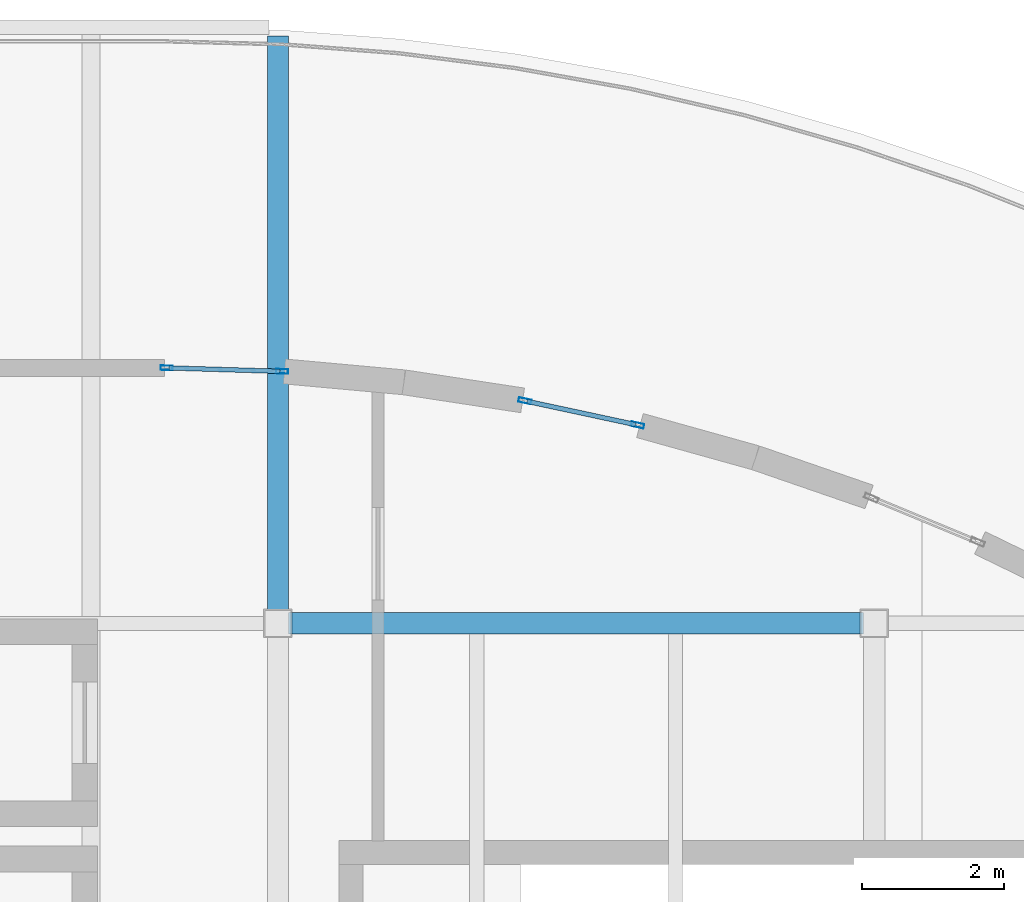
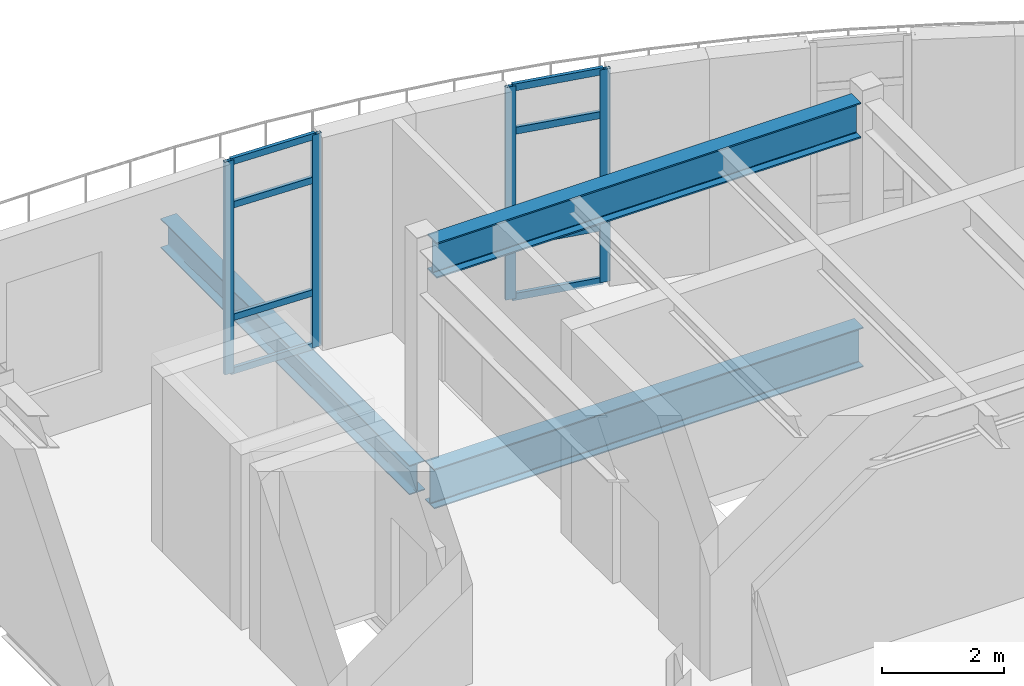
# One storey, part 14 of 26: 12 members, 3 beams, 2 elements without a shape of their own.
"""IFC4 building model written with IfcOpenShell, lengths in metres."""

from ifc_helpers import new_model, si_unit, direction, frame, origin, origin_2d, place, context, subcontext, project, spatial, hollow_rectangle, i_section, extrude, material, layer, layer_set, material_profile, profile_set, type_object, element, aggregate, save


model = new_model("IFC4")

# Units and contexts
model_context = context("Model", 3, precision=1e-05, world=origin(), true_north=direction((0.0, 1.0)))
body_context = subcontext(model_context, "Body", "Model", "MODEL_VIEW")
ifc_project = project(units=[si_unit("LENGTHUNIT", "METRE"), si_unit("AREAUNIT", "SQUARE_METRE"), si_unit("VOLUMEUNIT", "CUBIC_METRE"), si_unit("PLANEANGLEUNIT", "RADIAN"), si_unit("MASSUNIT", "GRAM", prefix="KILO"), si_unit("THERMODYNAMICTEMPERATUREUNIT", "KELVIN")], contexts=[model_context])

# Site, building, storey
site_placement = place(None, origin())
site = spatial("IfcSite", under=ifc_project, at=site_placement, CompositionType="ELEMENT")
building_placement = place(site_placement, origin())
building = spatial("IfcBuilding", under=site, at=building_placement, Name="Lustrewick Department Store", CompositionType="ELEMENT")
storey_placement = place(building_placement, frame((0.0, 0.0, 36.300048828125)))
storey = spatial("IfcBuildingStorey", under=building, at=storey_placement, Name="L08", CompositionType="ELEMENT", Elevation=36.300048828125)

# Curtain wall, members
ifc_material_1 = material(Name="Thermally broken aluminium 6063-T5", Category="aluminium")
ifc_layer_1 = layer(ifc_material_1, 0.179931640625, Name="Thermally broken aluminium 6063-T5")
ifc_layer_set_1 = layer_set([ifc_layer_1], Name="Thermally broken aluminium 6063-T5")
curtain_wall_type_1 = type_object("IfcCurtainWallType", Name="CW11", PredefinedType="NOTDEFINED", material=ifc_layer_set_1)
curtain_wall_1_placement = place(storey_placement, origin())
curtain_wall_1 = element("IfcCurtainWall", 1, at=curtain_wall_1_placement, inside=storey, type_object=curtain_wall_type_1, Name="L08 V4 Curtain Wall CW11", PredefinedType="NOTDEFINED")
ifc_material_profile_1 = material_profile(ifc_material_1, hollow_rectangle(XDim=0.06494140625, YDim=0.179931640625, WallThickness=0.00390625, at=origin_2d()), Name="ALU-M 65x180x4")
ifc_profile_set_1 = profile_set([ifc_material_profile_1], Name="Thermally broken aluminium 6063-T5")
member_type_1 = type_object("IfcMemberType", Name="CW11-M1", PredefinedType="MULLION", material=ifc_profile_set_1)
member_1_placement = place(storey_placement, frame((122.6689453125, 86.793212890625, 0.0), z_axis=(0.0, 0.0, 1.0), x_axis=(-0.209888430101, -0.977725343289, 0.0)))
member_1 = element("IfcMember", 2, at=member_1_placement, type_object=member_type_1, Name="CW11 mullion 1", PredefinedType="MULLION", context=body_context, shape_type="SweptSolid", body=[
    extrude(hollow_rectangle(XDim=0.06494140625, YDim=0.179931640625, WallThickness=0.00390625, at=origin_2d()), origin(), (0.0, 0.0, 1.0), 4.244873046875),
])
member_2_placement = place(storey_placement, frame((121.078857421875, 87.134521484375, 0.0), z_axis=(0.0, 0.0, 1.0), x_axis=(-0.209888430101, -0.977725343289, 0.0)))
member_2 = element("IfcMember", 3, at=member_2_placement, type_object=member_type_1, Name="CW11 mullion 2", PredefinedType="MULLION", context=body_context, shape_type="SweptSolid", body=[
    extrude(hollow_rectangle(XDim=0.06494140625, YDim=0.179931640625, WallThickness=0.00390625, at=origin_2d()), origin(), (0.0, 0.0, 1.0), 4.244873046875),
])
ifc_material_profile_2 = material_profile(ifc_material_1, hollow_rectangle(XDim=0.06494140625, YDim=0.139892578125, WallThickness=0.00341796875, at=origin_2d()), Name="ALU-T 65x140x3.5")
ifc_profile_set_2 = profile_set([ifc_material_profile_2], Name="Thermally broken aluminium 6063-T5")
member_type_2 = type_object("IfcMemberType", Name="CW11-T1", PredefinedType="USERDEFINED", material=ifc_profile_set_2)
member_3_placement = place(storey_placement, frame((122.63720703125, 86.800048828125, 0.032470703125), z_axis=(-0.977736006232, 0.209838752657, 0.0), x_axis=(-0.209838752657, -0.977736006232, 0.0)))
member_3 = element("IfcMember", 4, at=member_3_placement, type_object=member_type_2, Name="CW11 transom 1.1", ObjectType="TRANSOM", PredefinedType="USERDEFINED", context=body_context, shape_type="SweptSolid", body=[
    extrude(hollow_rectangle(XDim=0.06494140625, YDim=0.139892578125, WallThickness=0.00341796875, at=origin_2d()), origin(), (0.0, 0.0, 1.0), 1.561279296875),
])
member_4_placement = place(storey_placement, frame((122.63720703125, 86.800048828125, 1.099853515625), z_axis=(-0.977736006232, 0.209838752657, 0.0), x_axis=(-0.209838752657, -0.977736006232, 0.0)))
member_4 = element("IfcMember", 5, at=member_4_placement, type_object=member_type_2, Name="CW11 transom 1.2", ObjectType="TRANSOM", PredefinedType="USERDEFINED", context=body_context, shape_type="SweptSolid", body=[
    extrude(hollow_rectangle(XDim=0.06494140625, YDim=0.139892578125, WallThickness=0.00341796875, at=origin_2d()), origin(), (0.0, 0.0, 1.0), 1.561279296875),
])
member_5_placement = place(storey_placement, frame((122.63720703125, 86.800048828125, 3.344970703125), z_axis=(-0.977736006232, 0.209838752657, 0.0), x_axis=(-0.209838752657, -0.977736006232, 0.0)))
member_5 = element("IfcMember", 6, at=member_5_placement, type_object=member_type_2, Name="CW11 transom 1.3", ObjectType="TRANSOM", PredefinedType="USERDEFINED", context=body_context, shape_type="SweptSolid", body=[
    extrude(hollow_rectangle(XDim=0.06494140625, YDim=0.139892578125, WallThickness=0.00341796875, at=origin_2d()), origin(), (0.0, 0.0, 1.0), 1.561279296875),
])
member_6_placement = place(storey_placement, frame((122.63720703125, 86.800048828125, 4.21240234375), z_axis=(-0.977736006232, 0.209838752657, 0.0), x_axis=(-0.209838752657, -0.977736006232, 0.0)))
member_6 = element("IfcMember", 7, at=member_6_placement, type_object=member_type_2, Name="CW11 transom 1.4", ObjectType="TRANSOM", PredefinedType="USERDEFINED", context=body_context, shape_type="SweptSolid", body=[
    extrude(hollow_rectangle(XDim=0.06494140625, YDim=0.139892578125, WallThickness=0.00341796875, at=origin_2d()), origin(), (0.0, 0.0, 1.0), 1.561279296875),
])
aggregate(curtain_wall_1, [member_1, member_2, member_3, member_4, member_5, member_6])

ifc_layer_2 = layer(ifc_material_1, 0.169921875, Name="Thermally broken aluminium 6063-T5")
ifc_layer_set_2 = layer_set([ifc_layer_2], Name="Thermally broken aluminium 6063-T5")
curtain_wall_type_2 = type_object("IfcCurtainWallType", Name="CW12", PredefinedType="NOTDEFINED", material=ifc_layer_set_2)
curtain_wall_2_placement = place(storey_placement, origin())
curtain_wall_2 = element("IfcCurtainWall", 8, at=curtain_wall_2_placement, inside=storey, type_object=curtain_wall_type_2, Name="L08 V4 Curtain Wall CW12", PredefinedType="NOTDEFINED")
ifc_material_profile_3 = material_profile(ifc_material_1, hollow_rectangle(XDim=0.06494140625, YDim=0.169921875, WallThickness=0.00390625, at=origin_2d()), Name="ALU-M 65x170x4")
ifc_profile_set_3 = profile_set([ifc_material_profile_3], Name="Thermally broken aluminium 6063-T5")
member_type_3 = type_object("IfcMemberType", Name="CW12-M1", PredefinedType="MULLION", material=ifc_profile_set_3)
member_7_placement = place(storey_placement, frame((117.658203125, 87.5498046875, 0.0), z_axis=(0.0, 0.0, 1.0), x_axis=(-0.030212157398, -0.99954350858, 0.0)))
member_7 = element("IfcMember", 9, at=member_7_placement, type_object=member_type_3, Name="CW12 mullion 1", PredefinedType="MULLION", context=body_context, shape_type="SweptSolid", body=[
    extrude(hollow_rectangle(XDim=0.06494140625, YDim=0.169921875, WallThickness=0.00390625, at=origin_2d()), origin(), (0.0, 0.0, 1.0), 4.244873046875),
])
member_8_placement = place(storey_placement, frame((116.032470703125, 87.59912109375, 0.0), z_axis=(0.0, 0.0, 1.0), x_axis=(-0.030212157398, -0.99954350858, 0.0)))
member_8 = element("IfcMember", 10, at=member_8_placement, type_object=member_type_3, Name="CW12 mullion 2", PredefinedType="MULLION", context=body_context, shape_type="SweptSolid", body=[
    extrude(hollow_rectangle(XDim=0.06494140625, YDim=0.169921875, WallThickness=0.00390625, at=origin_2d()), origin(), (0.0, 0.0, 1.0), 4.244873046875),
])
ifc_material_profile_4 = material_profile(ifc_material_1, hollow_rectangle(XDim=0.06494140625, YDim=0.1298828125, WallThickness=0.00341796875, at=origin_2d()), Name="ALU-T 65x130x3.5")
ifc_profile_set_4 = profile_set([ifc_material_profile_4], Name="Thermally broken aluminium 6063-T5")
member_type_4 = type_object("IfcMemberType", Name="CW12-T1", PredefinedType="USERDEFINED", material=ifc_profile_set_4)
member_9_placement = place(storey_placement, frame((117.625732421875, 87.55078125, 0.032470703125), z_axis=(-0.999539887282, 0.030331728161, 0.0), x_axis=(-0.030331728161, -0.999539887282, 0.0)))
member_9 = element("IfcMember", 11, at=member_9_placement, type_object=member_type_4, Name="CW12 transom 1.1", ObjectType="TRANSOM", PredefinedType="USERDEFINED", context=body_context, shape_type="SweptSolid", body=[
    extrude(hollow_rectangle(XDim=0.06494140625, YDim=0.1298828125, WallThickness=0.00341796875, at=origin_2d()), origin(), (0.0, 0.0, 1.0), 1.5615234375),
])
member_10_placement = place(storey_placement, frame((117.625732421875, 87.55078125, 1.099853515625), z_axis=(-0.999539887282, 0.030331728161, 0.0), x_axis=(-0.030331728161, -0.999539887282, 0.0)))
member_10 = element("IfcMember", 12, at=member_10_placement, type_object=member_type_4, Name="CW12 transom 1.2", ObjectType="TRANSOM", PredefinedType="USERDEFINED", context=body_context, shape_type="SweptSolid", body=[
    extrude(hollow_rectangle(XDim=0.06494140625, YDim=0.1298828125, WallThickness=0.00341796875, at=origin_2d()), origin(), (0.0, 0.0, 1.0), 1.5615234375),
])
member_11_placement = place(storey_placement, frame((117.625732421875, 87.55078125, 3.344970703125), z_axis=(-0.999539887282, 0.030331728161, 0.0), x_axis=(-0.030331728161, -0.999539887282, 0.0)))
member_11 = element("IfcMember", 13, at=member_11_placement, type_object=member_type_4, Name="CW12 transom 1.3", ObjectType="TRANSOM", PredefinedType="USERDEFINED", context=body_context, shape_type="SweptSolid", body=[
    extrude(hollow_rectangle(XDim=0.06494140625, YDim=0.1298828125, WallThickness=0.00341796875, at=origin_2d()), origin(), (0.0, 0.0, 1.0), 1.5615234375),
])
member_12_placement = place(storey_placement, frame((117.625732421875, 87.55078125, 4.21240234375), z_axis=(-0.999539887282, 0.030331728161, 0.0), x_axis=(-0.030331728161, -0.999539887282, 0.0)))
member_12 = element("IfcMember", 14, at=member_12_placement, type_object=member_type_4, Name="CW12 transom 1.4", ObjectType="TRANSOM", PredefinedType="USERDEFINED", context=body_context, shape_type="SweptSolid", body=[
    extrude(hollow_rectangle(XDim=0.06494140625, YDim=0.1298828125, WallThickness=0.00341796875, at=origin_2d()), origin(), (0.0, 0.0, 1.0), 1.5615234375),
])
aggregate(curtain_wall_2, [member_7, member_8, member_9, member_10, member_11, member_12])

# Beams
ifc_material_2 = material(Name="Structural steel Q355B", Category="steel")
ifc_material_profile_5 = material_profile(ifc_material_2, i_section(OverallWidth=0.300048828125, OverallDepth=0.7919921875, WebThickness=0.013916015625, FlangeThickness=0.02197265625, FilletRadius=0.02197265625, at=origin_2d()), Name="HN 792x300x14x22")
ifc_profile_set_5 = profile_set([ifc_material_profile_5], Name="Structural steel Q355B")
beam_type_1 = type_object("IfcBeamType", Name="G06", PredefinedType="BEAM", material=ifc_profile_set_5)
beam_1_placement = place(storey_placement, frame((117.7509765625, 84.0, -0.651123046875), z_axis=(1.0, 0.0, 0.0), x_axis=(0.0, 1.0, 0.0)))
element("IfcBeam", 15, at=beam_1_placement, inside=storey, type_object=beam_type_1, Name="L08 V4 Girder G06", PredefinedType="BEAM", context=body_context, shape_type="SweptSolid", body=[
    extrude(i_section(OverallWidth=0.300048828125, OverallDepth=0.7919921875, WebThickness=0.013916015625, FlangeThickness=0.02197265625, FilletRadius=0.02197265625, at=origin_2d()), origin(), (0.0, 0.0, 1.0), 8.09814453125),
])
ifc_material_3 = material(Name="Structural steel Q355C", Category="steel")
ifc_material_profile_6 = material_profile(ifc_material_3, i_section(OverallWidth=0.302001953125, OverallDepth=0.7080078125, WebThickness=0.014892578125, FlangeThickness=0.028076171875, FilletRadius=0.02001953125, at=origin_2d()), Name="HN 708x302x15x28")
ifc_profile_set_6 = profile_set([ifc_material_profile_6], Name="Structural steel Q355C")
beam_type_2 = type_object("IfcBeamType", Name="G07", PredefinedType="BEAM", material=ifc_profile_set_6)
beam_2_placement = place(storey_placement, frame((117.800048828125, 84.0, 3.890869140625), z_axis=(1.0, 0.0, 0.0), x_axis=(0.0, 1.0, 0.0)))
element("IfcBeam", 16, at=beam_2_placement, inside=storey, type_object=beam_type_2, Name="L08 V4 Girder G07", PredefinedType="BEAM", context=body_context, shape_type="SweptSolid", body=[
    extrude(i_section(OverallWidth=0.302001953125, OverallDepth=0.7080078125, WebThickness=0.014892578125, FlangeThickness=0.028076171875, FilletRadius=0.02001953125, at=origin_2d()), origin(), (0.0, 0.0, 1.0), 8.0),
])
ifc_material_profile_7 = material_profile(ifc_material_2, i_section(OverallWidth=0.300048828125, OverallDepth=0.587890625, WebThickness=0.011962890625, FlangeThickness=0.02001953125, FilletRadius=0.02392578125, at=origin_2d()), Name="HM 588x300x12x20")
ifc_profile_set_7 = profile_set([ifc_material_profile_7], Name="Structural steel Q355B")
beam_type_3 = type_object("IfcBeamType", Name="G11", PredefinedType="BEAM", material=ifc_profile_set_7)
beam_3_placement = place(storey_placement, frame((117.60009765625, 84.14697265625, -0.549072265625), z_axis=(0.0, 1.0, 0.0), x_axis=(-1.0, 0.0, 0.0)))
element("IfcBeam", 17, at=beam_3_placement, inside=storey, type_object=beam_type_3, Name="L08 V4 Girder G11", PredefinedType="BEAM", context=body_context, shape_type="SweptSolid", body=[
    extrude(i_section(OverallWidth=0.300048828125, OverallDepth=0.587890625, WebThickness=0.011962890625, FlangeThickness=0.02001953125, FilletRadius=0.02392578125, at=origin_2d()), origin(), (0.0, 0.0, 1.0), 8.1279296875),
])

save(model, "model.ifc")
